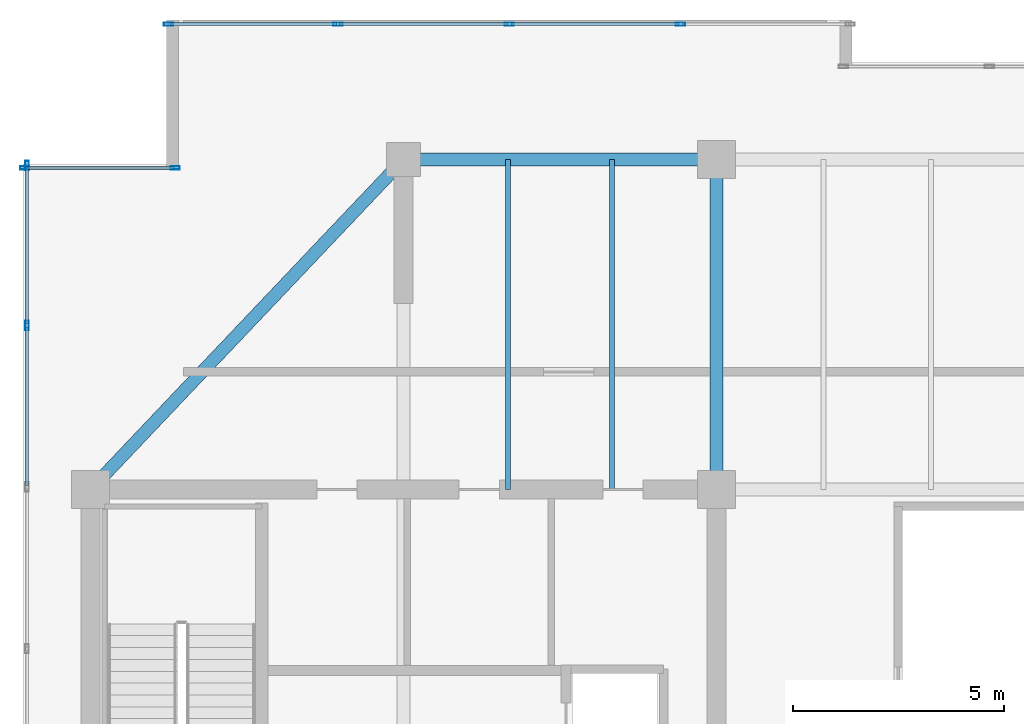
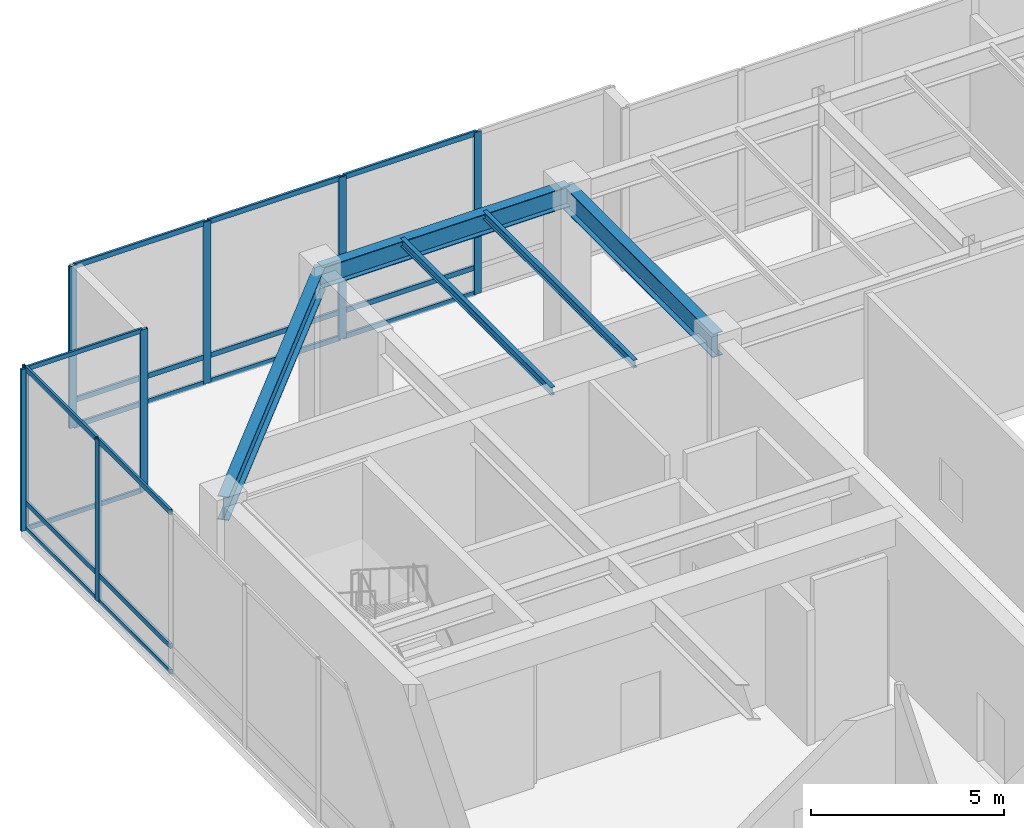
# One storey, part 18 of 30: 25 members, 5 beams, 3 elements without a shape of their own.
"""IFC4 building model written with IfcOpenShell, lengths in metres."""

from ifc_helpers import new_model, si_unit, direction, frame, origin, origin_2d, place, context, subcontext, project, spatial, hollow_rectangle, i_section, extrude, source, transform, mapped, material, layer, layer_set, material_profile, profile_set, type_object, type_shapes, element, aggregate, save


model = new_model("IFC4")

# Units and contexts
model_context = context("Model", 3, precision=1e-05, world=origin(), true_north=direction((0.0, 1.0)))
body_context = subcontext(model_context, "Body", "Model", "MODEL_VIEW")
ifc_project = project(units=[si_unit("LENGTHUNIT", "METRE"), si_unit("AREAUNIT", "SQUARE_METRE"), si_unit("VOLUMEUNIT", "CUBIC_METRE"), si_unit("PLANEANGLEUNIT", "RADIAN"), si_unit("MASSUNIT", "GRAM", prefix="KILO")], contexts=[model_context])

# Site, building, storey
site_placement = place(None, origin())
site = spatial("IfcSite", under=ifc_project, at=site_placement, CompositionType="ELEMENT")
building_placement = place(site_placement, origin())
building = spatial("IfcBuilding", under=site, at=building_placement, Name="Haelvirn Gate Laboratories", CompositionType="ELEMENT")
storey_placement = place(building_placement, frame((0.0, 0.0, 332.39990234375)))
storey = spatial("IfcBuildingStorey", under=building, at=storey_placement, Name="L79", CompositionType="ELEMENT", Elevation=332.39990234375)

# Beams
ifc_material_1 = material(Name="Steel SM355", Category="steel")
ifc_material_profile_1 = material_profile(ifc_material_1, i_section(OverallWidth=0.300048828125, OverallDepth=0.75, WebThickness=0.013916015625, FlangeThickness=0.02392578125, at=origin_2d()), Name="H-750x300x14x24")
ifc_profile_set_1 = profile_set([ifc_material_profile_1], Name="Steel SM355")
beam_type_1 = type_object("IfcBeamType", Name="BM-G-750", PredefinedType="BEAM", material=ifc_profile_set_1)
shared_shape_1 = source(origin(), body_context, "Body", "SweptSolid", [
    extrude(i_section(OverallWidth=0.300048828125, OverallDepth=0.75, WebThickness=0.013916015625, FlangeThickness=0.02392578125, at=origin_2d()), origin(), (0.0, 0.0, 1.0), 7.800048828125),
])
beam_1_placement = place(storey_placement, frame((22.199951171875, 33.800048828125, 4.7451171875), z_axis=(0.0, 1.0, 0.0), x_axis=(-1.0, 0.0, 0.0)))
element("IfcBeam", 1, at=beam_1_placement, inside=storey, type_object=beam_type_1, Name="L79 Frame Girder X22.2 (33.8-41.6)", PredefinedType="BEAM", context=body_context, shape_type="MappedRepresentation", body=[
    mapped(shared_shape_1, transform((0.0, 0.0, 0.0), scale=1.0)),
])
ifc_material_profile_2 = material_profile(ifc_material_1, i_section(OverallWidth=0.300048828125, OverallDepth=0.64990234375, WebThickness=0.012939453125, FlangeThickness=0.02197265625, at=origin_2d()), Name="H-650x300x13x22")
ifc_profile_set_2 = profile_set([ifc_material_profile_2], Name="Steel SM355")
beam_type_2 = type_object("IfcBeamType", Name="BM-G-650", PredefinedType="BEAM", material=ifc_profile_set_2)
shared_shape_2 = source(origin(), body_context, "Body", "SweptSolid", [
    extrude(i_section(OverallWidth=0.300048828125, OverallDepth=0.64990234375, WebThickness=0.012939453125, FlangeThickness=0.02197265625, at=origin_2d()), origin(), (0.0, 0.0, 1.0), 7.39990234375),
])
type_shapes(beam_type_2, [shared_shape_2])
beam_2_placement = place(storey_placement, frame((14.800048828125, 41.60009765625, 4.795166015625), z_axis=(1.0, 0.0, 0.0), x_axis=(0.0, 1.0, 0.0)))
element("IfcBeam", 2, at=beam_2_placement, inside=storey, type_object=beam_type_2, Name="L79 Primary Girder Y41.6 (14.8-22.2)", PredefinedType="BEAM", context=body_context, shape_type="MappedRepresentation", body=[
    mapped(shared_shape_2, transform((0.0, 0.0, 0.0), scale=1.0)),
])
ifc_material_profile_3 = material_profile(ifc_material_1, i_section(OverallWidth=0.125, OverallDepth=0.25, WebThickness=0.006103515625, FlangeThickness=0.009033203125, at=origin_2d()), Name="H-250x125x6x9")
ifc_profile_set_3 = profile_set([ifc_material_profile_3], Name="Steel SM355")
beam_type_3 = type_object("IfcBeamType", Name="BM-J-250", PredefinedType="JOIST", material=ifc_profile_set_3)
shared_shape_3 = source(origin(), body_context, "Body", "SweptSolid", [
    extrude(i_section(OverallWidth=0.125, OverallDepth=0.25, WebThickness=0.006103515625, FlangeThickness=0.009033203125, at=origin_2d()), origin(), (0.0, 0.0, 1.0), 7.800048828125),
])
type_shapes(beam_type_3, [shared_shape_3])
for number, where, z_axis, x_axis, name in (
    (3, (17.27001953125, 33.800048828125, 4.9951171875), (0.0, 1.0, 0.0), (-1.0, 0.0, 0.0), "L79 Composite Lab Joist North X17.27"),
    (4, (19.72998046875, 33.800048828125, 4.9951171875), (0.0, 1.0, 0.0), (-1.0, 0.0, 0.0), "L79 Composite Lab Joist North X19.73"),
):
    element("IfcBeam", number, at=place(storey_placement, frame(where, z_axis=z_axis, x_axis=x_axis)), inside=storey, type_object=beam_type_3, Name=name, PredefinedType="JOIST", context=body_context, shape_type="MappedRepresentation", body=[
        mapped(shared_shape_3, transform((0.0, 0.0, 0.0), scale=1.0)),
    ])
shared_shape_4 = source(origin(), body_context, "Body", "SweptSolid", [
    extrude(i_section(OverallWidth=0.300048828125, OverallDepth=0.75, WebThickness=0.013916015625, FlangeThickness=0.02392578125, at=origin_2d()), origin(), (0.0, 0.0, 1.0), 10.751953125),
])
type_shapes(beam_type_1, [shared_shape_1, shared_shape_4])
beam_3_placement = place(storey_placement, frame((14.800048828125, 41.60009765625, 4.7451171875), z_axis=(-0.688265334683, -0.725459047138, 0.0), x_axis=(0.725459047138, -0.688265334683, 0.0)))
element("IfcBeam", 5, at=beam_3_placement, inside=storey, type_object=beam_type_1, Name="L79 Crown Corner Tie Girder NW", PredefinedType="BEAM", context=body_context, shape_type="MappedRepresentation", body=[
    mapped(shared_shape_4, transform((0.0, 0.0, 0.0), scale=1.0)),
])

# Curtain wall, members
ifc_material_2 = material(Name="Anodised bronze unitised aluminium & triple low-E glass", Category="aluminium")
ifc_layer_1 = layer(ifc_material_2, 0.181884765625, Name="CW-SYS-5")
ifc_layer_set_1 = layer_set([ifc_layer_1], Name="Anodised bronze unitised aluminium & triple low-E glass")
curtain_wall_type_1 = type_object("IfcCurtainWallType", Name="CW-SYS-5", PredefinedType="NOTDEFINED", material=ifc_layer_set_1)
curtain_wall_1_placement = place(storey_placement, origin())
curtain_wall_1 = element("IfcCurtainWall", 6, at=curtain_wall_1_placement, inside=storey, type_object=curtain_wall_type_1, Name="L79 Unitised Curtain Wall CW-L79-P0-E16-1", PredefinedType="NOTDEFINED")
ifc_material_3 = material(Name="Extruded aluminium 6063-T6 (anodised bronze)", Category="aluminium")
ifc_material_profile_4 = material_profile(ifc_material_3, hollow_rectangle(XDim=0.06494140625, YDim=0.139892578125, WallThickness=0.00390625, at=origin_2d()), Name="CWT-140x65x4")
ifc_profile_set_4 = profile_set([ifc_material_profile_4], Name="Extruded aluminium 6063-T6 (anodised bronze)")
member_type_1 = type_object("IfcMemberType", Name="CWT-T140", PredefinedType="USERDEFINED", material=ifc_profile_set_4)
shared_shape_5 = source(origin(), body_context, "Body", "SweptSolid", [
    extrude(hollow_rectangle(XDim=0.06494140625, YDim=0.139892578125, WallThickness=0.00390625, at=origin_2d()), origin(), (0.0, 0.0, 1.0), 3.480224609375),
])
type_shapes(member_type_1, [shared_shape_5])
member_1_placement = place(storey_placement, frame((5.8798828125, 41.39990234375, 0.03271484375), z_axis=(1.0, 0.0, 0.0), x_axis=(0.0, 1.0, 0.0)))
member_1 = element("IfcMember", 7, at=member_1_placement, type_object=member_type_1, Name="CW5 transom 1.1", ObjectType="TRANSOM", PredefinedType="USERDEFINED", context=body_context, shape_type="MappedRepresentation", body=[
    mapped(shared_shape_5, transform((0.0, 0.0, 0.0), scale=1.0)),
])
member_2_placement = place(storey_placement, frame((5.8798828125, 41.39990234375, 5.087646484375), z_axis=(1.0, 0.0, 0.0), x_axis=(0.0, 1.0, 0.0)))
member_2 = element("IfcMember", 8, at=member_2_placement, type_object=member_type_1, Name="CW5 transom 1.2", ObjectType="TRANSOM", PredefinedType="USERDEFINED", context=body_context, shape_type="MappedRepresentation", body=[
    mapped(shared_shape_5, transform((0.0, 0.0, 0.0), scale=1.0)),
])

ifc_layer_2 = layer(ifc_material_2, 0.19189453125, Name="CW-SYS-6")
ifc_layer_set_2 = layer_set([ifc_layer_2], Name="Anodised bronze unitised aluminium & triple low-E glass")
curtain_wall_type_2 = type_object("IfcCurtainWallType", Name="CW-SYS-6", PredefinedType="NOTDEFINED", material=ifc_layer_set_2)
curtain_wall_2_placement = place(storey_placement, origin())
curtain_wall_2 = element("IfcCurtainWall", 9, at=curtain_wall_2_placement, inside=storey, type_object=curtain_wall_type_2, Name="L79 Unitised Curtain Wall CW-L79-P0-E14-1", PredefinedType="NOTDEFINED")
ifc_material_profile_5 = material_profile(ifc_material_3, hollow_rectangle(XDim=0.080078125, YDim=0.219970703125, WallThickness=0.006103515625, at=origin_2d()), Name="CWM-220x80x6")
ifc_profile_set_5 = profile_set([ifc_material_profile_5], Name="Extruded aluminium 6063-T6 (anodised bronze)")
member_type_2 = type_object("IfcMemberType", Name="CWM-T220", PredefinedType="MULLION", material=ifc_profile_set_5)
shared_shape_6 = source(origin(), body_context, "Body", "SweptSolid", [
    extrude(hollow_rectangle(XDim=0.080078125, YDim=0.219970703125, WallThickness=0.006103515625, at=origin_2d()), origin(), (0.0, 0.0, 1.0), 5.1201171875),
])
type_shapes(member_type_2, [shared_shape_6])
member_3_placement = place(storey_placement, frame((9.239990234375, 44.800048828125, 0.0), z_axis=(0.0, 0.0, 1.0), x_axis=(0.0, 1.0, 0.0)))
member_3 = element("IfcMember", 10, at=member_3_placement, type_object=member_type_2, Name="CW6 mullion 1", PredefinedType="MULLION", context=body_context, shape_type="MappedRepresentation", body=[
    mapped(shared_shape_6, transform((0.0, 0.0, 0.0), scale=1.0)),
])
member_4_placement = place(storey_placement, frame((13.25, 44.800048828125, 0.0), z_axis=(0.0, 0.0, 1.0), x_axis=(0.0, 1.0, 0.0)))
member_4 = element("IfcMember", 11, at=member_4_placement, type_object=member_type_2, Name="CW6 mullion 2", PredefinedType="MULLION", context=body_context, shape_type="MappedRepresentation", body=[
    mapped(shared_shape_6, transform((0.0, 0.0, 0.0), scale=1.0)),
])
member_5_placement = place(storey_placement, frame((17.300048828125, 44.800048828125, 0.0), z_axis=(0.0, 0.0, 1.0), x_axis=(0.0, 1.0, 0.0)))
member_5 = element("IfcMember", 12, at=member_5_placement, type_object=member_type_2, Name="CW6 mullion 3", PredefinedType="MULLION", context=body_context, shape_type="MappedRepresentation", body=[
    mapped(shared_shape_6, transform((0.0, 0.0, 0.0), scale=1.0)),
])
member_6_placement = place(storey_placement, frame((21.35009765625, 44.800048828125, 0.0), z_axis=(0.0, 0.0, 1.0), x_axis=(0.0, 1.0, 0.0)))
member_6 = element("IfcMember", 13, at=member_6_placement, type_object=member_type_2, Name="CW6 mullion 4", PredefinedType="MULLION", context=body_context, shape_type="MappedRepresentation", body=[
    mapped(shared_shape_6, transform((0.0, 0.0, 0.0), scale=1.0)),
])

# Member
member_7_placement = place(storey_placement, frame((5.840087890625, 41.39990234375, 0.0), z_axis=(0.0, 0.0, 1.0), x_axis=(0.0, 1.0, 0.0)))
member_7 = element("IfcMember", 14, at=member_7_placement, type_object=member_type_2, Name="CW5 mullion 1", PredefinedType="MULLION", context=body_context, shape_type="MappedRepresentation", body=[
    mapped(shared_shape_6, transform((0.0, 0.0, 0.0), scale=1.0)),
])

member_8_placement = place(storey_placement, frame((9.39990234375, 41.39990234375, 0.0), z_axis=(0.0, 0.0, 1.0), x_axis=(0.0, 1.0, 0.0)))
member_8 = element("IfcMember", 15, at=member_8_placement, type_object=member_type_2, Name="CW5 mullion 2", PredefinedType="MULLION", context=body_context, shape_type="MappedRepresentation", body=[
    mapped(shared_shape_6, transform((0.0, 0.0, 0.0), scale=1.0)),
])

aggregate(curtain_wall_1, [member_7, member_8, member_1, member_2])

# Curtain wall, members
curtain_wall_3_placement = place(storey_placement, origin())
curtain_wall_3 = element("IfcCurtainWall", 16, at=curtain_wall_3_placement, inside=storey, type_object=curtain_wall_type_2, Name="L79 Unitised Curtain Wall CW-L79-P0-E17", PredefinedType="NOTDEFINED")
member_9_placement = place(storey_placement, frame((5.89990234375, 41.4599609375, 0.0), z_axis=(0.0, 0.0, 1.0), x_axis=(1.0, 0.0, 0.0)))
member_9 = element("IfcMember", 17, at=member_9_placement, type_object=member_type_2, Name="CW6 mullion 1", PredefinedType="MULLION", context=body_context, shape_type="MappedRepresentation", body=[
    mapped(shared_shape_6, transform((0.0, 0.0, 0.0), scale=1.0)),
])
member_10_placement = place(storey_placement, frame((5.89990234375, 37.677734375, 0.0), z_axis=(0.0, 0.0, 1.0), x_axis=(1.0, 0.0, 0.0)))
member_10 = element("IfcMember", 18, at=member_10_placement, type_object=member_type_2, Name="CW6 mullion 2", PredefinedType="MULLION", context=body_context, shape_type="MappedRepresentation", body=[
    mapped(shared_shape_6, transform((0.0, 0.0, 0.0), scale=1.0)),
])

# Member
ifc_material_profile_6 = material_profile(ifc_material_3, hollow_rectangle(XDim=0.070068359375, YDim=0.159912109375, WallThickness=0.0048828125, at=origin_2d()), Name="CWT-160x70x5")
ifc_profile_set_6 = profile_set([ifc_material_profile_6], Name="Extruded aluminium 6063-T6 (anodised bronze)")
member_type_3 = type_object("IfcMemberType", Name="CWT-T160", PredefinedType="USERDEFINED", material=ifc_profile_set_6)
shared_shape_7 = source(origin(), body_context, "Body", "SweptSolid", [
    extrude(hollow_rectangle(XDim=0.070068359375, YDim=0.159912109375, WallThickness=0.0048828125, at=origin_2d()), origin(), (0.0, 0.0, 1.0), 3.929931640625),
])
member_11_placement = place(storey_placement, frame((9.280029296875, 44.800048828125, 0.03515625), z_axis=(1.0, 0.0, 0.0), x_axis=(0.0, 1.0, 0.0)))
member_11 = element("IfcMember", 19, at=member_11_placement, type_object=member_type_3, Name="CW6 transom 1.1", ObjectType="TRANSOM", PredefinedType="USERDEFINED", context=body_context, shape_type="MappedRepresentation", body=[
    mapped(shared_shape_7, transform((0.0, 0.0, 0.0), scale=1.0)),
])

member_12_placement = place(storey_placement, frame((9.280029296875, 44.800048828125, 0.85009765625), z_axis=(1.0, 0.0, 0.0), x_axis=(0.0, 1.0, 0.0)))
member_12 = element("IfcMember", 20, at=member_12_placement, type_object=member_type_3, Name="CW6 transom 1.2", ObjectType="TRANSOM", PredefinedType="USERDEFINED", context=body_context, shape_type="MappedRepresentation", body=[
    mapped(shared_shape_7, transform((0.0, 0.0, 0.0), scale=1.0)),
])

member_13_placement = place(storey_placement, frame((9.280029296875, 44.800048828125, 5.085205078125), z_axis=(1.0, 0.0, 0.0), x_axis=(0.0, 1.0, 0.0)))
member_13 = element("IfcMember", 21, at=member_13_placement, type_object=member_type_3, Name="CW6 transom 1.3", ObjectType="TRANSOM", PredefinedType="USERDEFINED", context=body_context, shape_type="MappedRepresentation", body=[
    mapped(shared_shape_7, transform((0.0, 0.0, 0.0), scale=1.0)),
])

shared_shape_8 = source(origin(), body_context, "Body", "SweptSolid", [
    extrude(hollow_rectangle(XDim=0.070068359375, YDim=0.159912109375, WallThickness=0.0048828125, at=origin_2d()), origin(), (0.0, 0.0, 1.0), 3.969970703125),
])
member_14_placement = place(storey_placement, frame((13.2900390625, 44.800048828125, 0.03515625), z_axis=(1.0, 0.0, 0.0), x_axis=(0.0, 1.0, 0.0)))
member_14 = element("IfcMember", 22, at=member_14_placement, type_object=member_type_3, Name="CW6 transom 2.1", ObjectType="TRANSOM", PredefinedType="USERDEFINED", context=body_context, shape_type="MappedRepresentation", body=[
    mapped(shared_shape_8, transform((0.0, 0.0, 0.0), scale=1.0)),
])

member_15_placement = place(storey_placement, frame((13.2900390625, 44.800048828125, 0.85009765625), z_axis=(1.0, 0.0, 0.0), x_axis=(0.0, 1.0, 0.0)))
member_15 = element("IfcMember", 23, at=member_15_placement, type_object=member_type_3, Name="CW6 transom 2.2", ObjectType="TRANSOM", PredefinedType="USERDEFINED", context=body_context, shape_type="MappedRepresentation", body=[
    mapped(shared_shape_8, transform((0.0, 0.0, 0.0), scale=1.0)),
])

member_16_placement = place(storey_placement, frame((13.2900390625, 44.800048828125, 5.085205078125), z_axis=(1.0, 0.0, 0.0), x_axis=(0.0, 1.0, 0.0)))
member_16 = element("IfcMember", 24, at=member_16_placement, type_object=member_type_3, Name="CW6 transom 2.3", ObjectType="TRANSOM", PredefinedType="USERDEFINED", context=body_context, shape_type="MappedRepresentation", body=[
    mapped(shared_shape_8, transform((0.0, 0.0, 0.0), scale=1.0)),
])

member_17_placement = place(storey_placement, frame((17.340087890625, 44.800048828125, 0.03515625), z_axis=(1.0, 0.0, 0.0), x_axis=(0.0, 1.0, 0.0)))
member_17 = element("IfcMember", 25, at=member_17_placement, type_object=member_type_3, Name="CW6 transom 3.1", ObjectType="TRANSOM", PredefinedType="USERDEFINED", context=body_context, shape_type="MappedRepresentation", body=[
    mapped(shared_shape_8, transform((0.0, 0.0, 0.0), scale=1.0)),
])

member_18_placement = place(storey_placement, frame((17.340087890625, 44.800048828125, 0.85009765625), z_axis=(1.0, 0.0, 0.0), x_axis=(0.0, 1.0, 0.0)))
member_18 = element("IfcMember", 26, at=member_18_placement, type_object=member_type_3, Name="CW6 transom 3.2", ObjectType="TRANSOM", PredefinedType="USERDEFINED", context=body_context, shape_type="MappedRepresentation", body=[
    mapped(shared_shape_8, transform((0.0, 0.0, 0.0), scale=1.0)),
])

member_19_placement = place(storey_placement, frame((17.340087890625, 44.800048828125, 5.085205078125), z_axis=(1.0, 0.0, 0.0), x_axis=(0.0, 1.0, 0.0)))
member_19 = element("IfcMember", 27, at=member_19_placement, type_object=member_type_3, Name="CW6 transom 3.3", ObjectType="TRANSOM", PredefinedType="USERDEFINED", context=body_context, shape_type="MappedRepresentation", body=[
    mapped(shared_shape_8, transform((0.0, 0.0, 0.0), scale=1.0)),
])

aggregate(curtain_wall_2, [member_3, member_4, member_5, member_6, member_11, member_12, member_13, member_14, member_15, member_16, member_17, member_18, member_19])

shared_shape_9 = source(origin(), body_context, "Body", "SweptSolid", [
    extrude(hollow_rectangle(XDim=0.070068359375, YDim=0.159912109375, WallThickness=0.0048828125, at=origin_2d()), origin(), (0.0, 0.0, 1.0), 3.7421875),
])
member_20_placement = place(storey_placement, frame((5.89990234375, 37.6376953125, 0.03515625), z_axis=(0.0, -1.0, 0.0), x_axis=(1.0, 0.0, 0.0)))
member_20 = element("IfcMember", 28, at=member_20_placement, type_object=member_type_3, Name="CW6 transom 2.1", ObjectType="TRANSOM", PredefinedType="USERDEFINED", context=body_context, shape_type="MappedRepresentation", body=[
    mapped(shared_shape_9, transform((0.0, 0.0, 0.0), scale=1.0)),
])

member_21_placement = place(storey_placement, frame((5.89990234375, 37.6376953125, 0.85009765625), z_axis=(0.0, -1.0, 0.0), x_axis=(1.0, 0.0, 0.0)))
member_21 = element("IfcMember", 29, at=member_21_placement, type_object=member_type_3, Name="CW6 transom 2.2", ObjectType="TRANSOM", PredefinedType="USERDEFINED", context=body_context, shape_type="MappedRepresentation", body=[
    mapped(shared_shape_9, transform((0.0, 0.0, 0.0), scale=1.0)),
])

member_22_placement = place(storey_placement, frame((5.89990234375, 37.6376953125, 5.085205078125), z_axis=(0.0, -1.0, 0.0), x_axis=(1.0, 0.0, 0.0)))
member_22 = element("IfcMember", 30, at=member_22_placement, type_object=member_type_3, Name="CW6 transom 2.3", ObjectType="TRANSOM", PredefinedType="USERDEFINED", context=body_context, shape_type="MappedRepresentation", body=[
    mapped(shared_shape_9, transform((0.0, 0.0, 0.0), scale=1.0)),
])

shared_shape_10 = source(origin(), body_context, "Body", "SweptSolid", [
    extrude(hollow_rectangle(XDim=0.070068359375, YDim=0.159912109375, WallThickness=0.0048828125, at=origin_2d()), origin(), (0.0, 0.0, 1.0), 3.7021484375),
])
type_shapes(member_type_3, [shared_shape_7, shared_shape_8, shared_shape_9, shared_shape_10])
member_23_placement = place(storey_placement, frame((5.89990234375, 41.419921875, 0.03515625), z_axis=(0.0, -1.0, 0.0), x_axis=(1.0, 0.0, 0.0)))
member_23 = element("IfcMember", 31, at=member_23_placement, type_object=member_type_3, Name="CW6 transom 1.1", ObjectType="TRANSOM", PredefinedType="USERDEFINED", context=body_context, shape_type="MappedRepresentation", body=[
    mapped(shared_shape_10, transform((0.0, 0.0, 0.0), scale=1.0)),
])

member_24_placement = place(storey_placement, frame((5.89990234375, 41.419921875, 0.85009765625), z_axis=(0.0, -1.0, 0.0), x_axis=(1.0, 0.0, 0.0)))
member_24 = element("IfcMember", 32, at=member_24_placement, type_object=member_type_3, Name="CW6 transom 1.2", ObjectType="TRANSOM", PredefinedType="USERDEFINED", context=body_context, shape_type="MappedRepresentation", body=[
    mapped(shared_shape_10, transform((0.0, 0.0, 0.0), scale=1.0)),
])

member_25_placement = place(storey_placement, frame((5.89990234375, 41.419921875, 5.085205078125), z_axis=(0.0, -1.0, 0.0), x_axis=(1.0, 0.0, 0.0)))
member_25 = element("IfcMember", 33, at=member_25_placement, type_object=member_type_3, Name="CW6 transom 1.3", ObjectType="TRANSOM", PredefinedType="USERDEFINED", context=body_context, shape_type="MappedRepresentation", body=[
    mapped(shared_shape_10, transform((0.0, 0.0, 0.0), scale=1.0)),
])

aggregate(curtain_wall_3, [member_9, member_10, member_23, member_24, member_25, member_20, member_21, member_22])

save(model, "model.ifc")
